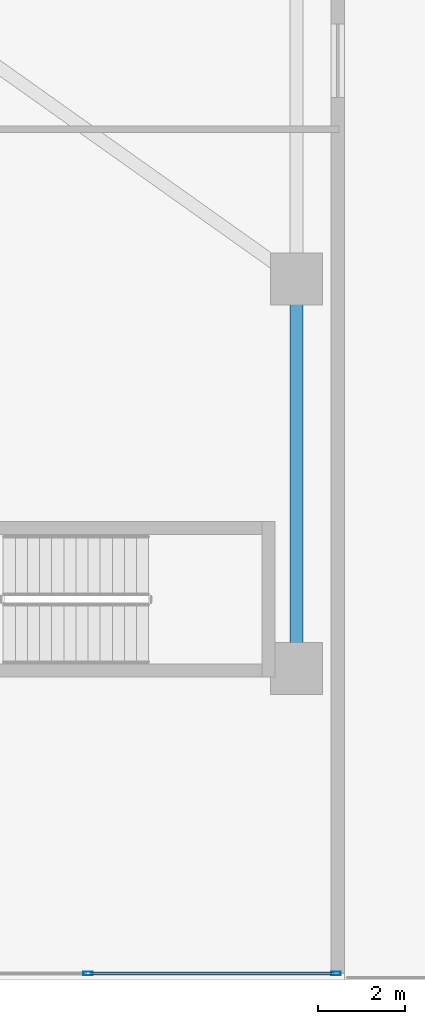
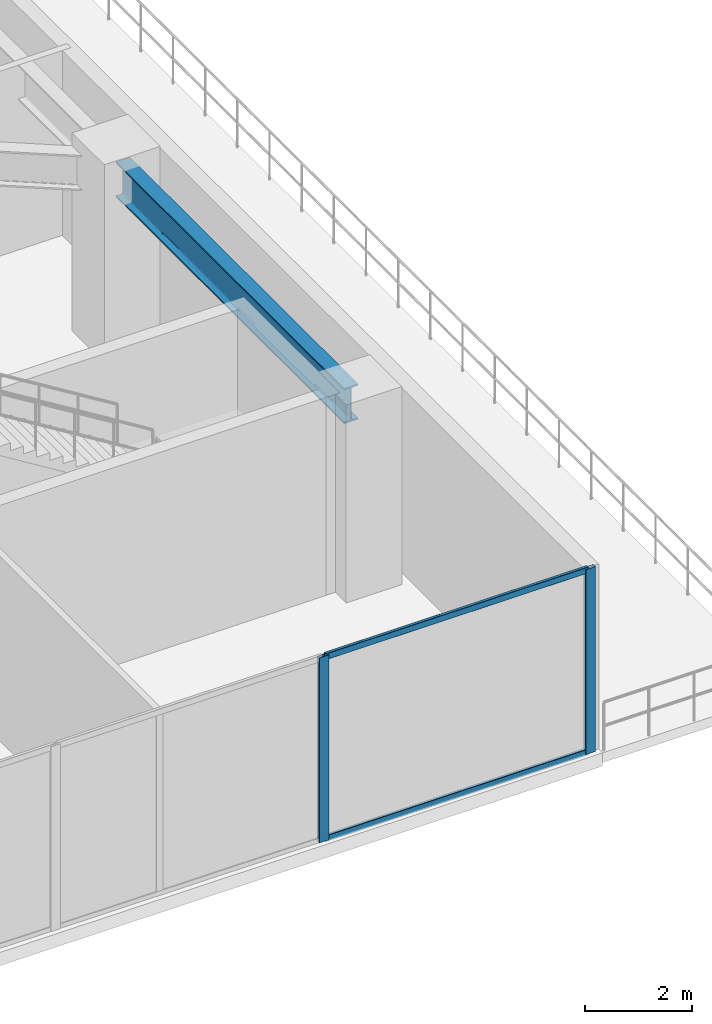
# One storey, part 8 of 27: 4 members, 1 beam, 1 element without a shape of its own.
"""IFC4 building model written with IfcOpenShell, lengths in metres."""

from ifc_helpers import new_model, si_unit, direction, frame, origin, origin_2d, place, context, subcontext, project, spatial, hollow_rectangle, i_section, extrude, material, layer, layer_set, material_profile, profile_set, type_object, element, aggregate, save


model = new_model("IFC4")

# Units and contexts
model_context = context("Model", 3, precision=1e-05, world=origin(), true_north=direction((0.0, 1.0)))
body_context = subcontext(model_context, "Body", "Model", "MODEL_VIEW")
ifc_project = project(units=[si_unit("LENGTHUNIT", "METRE"), si_unit("AREAUNIT", "SQUARE_METRE"), si_unit("VOLUMEUNIT", "CUBIC_METRE"), si_unit("PLANEANGLEUNIT", "RADIAN"), si_unit("MASSUNIT", "GRAM", prefix="KILO")], contexts=[model_context])

# Site, building, storey
site_placement = place(None, origin())
site = spatial("IfcSite", under=ifc_project, at=site_placement, CompositionType="ELEMENT")
building_placement = place(site_placement, origin())
building = spatial("IfcBuilding", under=site, at=building_placement, Name="Tarnavaz Court Tower", CompositionType="ELEMENT")
storey_placement = place(building_placement, frame((0.0, 0.0, 9.89990234375)))
storey = spatial("IfcBuildingStorey", under=building, at=storey_placement, Name="L02", CompositionType="ELEMENT", Elevation=9.89990234375)

# Beam
ifc_material_1 = material(Name="Steel S355", Category="steel")
ifc_material_profile_1 = material_profile(ifc_material_1, i_section(OverallWidth=0.300048828125, OverallDepth=0.800048828125, WebThickness=0.017578125, FlangeThickness=0.032958984375, FilletRadius=0.030029296875, at=origin_2d()), Name="HEB 800")
ifc_profile_set_1 = profile_set([ifc_material_profile_1], Name="Steel S355")
beam_type = type_object("IfcBeamType", Name="BM-G-HEB800", PredefinedType="USERDEFINED", material=ifc_profile_set_1)
beam_placement = place(storey_placement, frame((27.89990234375, -22.550048828125, 3.800048828125), z_axis=(0.0, 1.0, 0.0), x_axis=(-1.0, 0.0, 0.0)))
element("IfcBeam", 1, at=beam_placement, inside=storey, type_object=beam_type, Name="L02 Beam PM-PM-SE-PM-E1", ObjectType="GIRDER", PredefinedType="USERDEFINED", context=body_context, shape_type="SweptSolid", body=[
    extrude(i_section(OverallWidth=0.300048828125, OverallDepth=0.800048828125, WebThickness=0.017578125, FlangeThickness=0.032958984375, FilletRadius=0.030029296875, at=origin_2d()), origin(), (0.0, 0.0, 1.0), 8.5),
])

# Curtain wall, members
ifc_material_2 = material(Name="Anodised Aluminium 6063-T6 and Solar Low-E Glazing", Category="aluminium")
ifc_layer = layer(ifc_material_2, 0.18994140625)
ifc_layer_set = layer_set([ifc_layer], Name="Anodised Aluminium 6063-T6 and Solar Low-E Glazing")
curtain_wall_type = type_object("IfcCurtainWallType", Name="CW-SYS-01", PredefinedType="NOTDEFINED", material=ifc_layer_set)
curtain_wall_placement = place(storey_placement, origin())
curtain_wall = element("IfcCurtainWall", 2, at=curtain_wall_placement, inside=storey, type_object=curtain_wall_type, Name="L02 Clinic South Curtain Wall 3", PredefinedType="NOTDEFINED")
ifc_material_3 = material(Name="Anodised Aluminium 6063-T6", Category="aluminium")
ifc_material_profile_2 = material_profile(ifc_material_3, hollow_rectangle(XDim=0.0849609375, YDim=0.219970703125, WallThickness=0.006103515625, InnerFilletRadius=0.006103515625, OuterFilletRadius=0.011962890625, at=origin_2d()), Name="ALU RHS 220X85X6")
ifc_profile_set_2 = profile_set([ifc_material_profile_2], Name="Anodised Aluminium 6063-T6")
member_type_1 = type_object("IfcMemberType", Name="CW-MUL-220", PredefinedType="MULLION", material=ifc_profile_set_2)
member_1_placement = place(storey_placement, frame((28.8076171875, -29.85009765625, 0.0), z_axis=(0.0, 0.0, 1.0), x_axis=(0.0, -1.0, 0.0)))
member_1 = element("IfcMember", 3, at=member_1_placement, type_object=member_type_1, Name="CW mullion 1", PredefinedType="MULLION", context=body_context, shape_type="SweptSolid", body=[
    extrude(hollow_rectangle(XDim=0.0849609375, YDim=0.219970703125, WallThickness=0.006103515625, InnerFilletRadius=0.006103515625, OuterFilletRadius=0.011962890625, at=origin_2d()), origin(), (0.0, 0.0, 1.0), 4.2001953125),
])
member_2_placement = place(storey_placement, frame((23.080078125, -29.85009765625, 0.0), z_axis=(0.0, 0.0, 1.0), x_axis=(0.0, -1.0, 0.0)))
member_2 = element("IfcMember", 4, at=member_2_placement, type_object=member_type_1, Name="CW mullion 2", PredefinedType="MULLION", context=body_context, shape_type="SweptSolid", body=[
    extrude(hollow_rectangle(XDim=0.0849609375, YDim=0.219970703125, WallThickness=0.006103515625, InnerFilletRadius=0.006103515625, OuterFilletRadius=0.011962890625, at=origin_2d()), origin(), (0.0, 0.0, 1.0), 4.2001953125),
])
ifc_material_profile_3 = material_profile(ifc_material_3, hollow_rectangle(XDim=0.06494140625, YDim=0.139892578125, WallThickness=0.00390625, InnerFilletRadius=0.00390625, OuterFilletRadius=0.008056640625, at=origin_2d()), Name="ALU RHS 140X65X4")
ifc_profile_set_3 = profile_set([ifc_material_profile_3], Name="Anodised Aluminium 6063-T6")
member_type_2 = type_object("IfcMemberType", Name="CW-TRN-140", PredefinedType="USERDEFINED", material=ifc_profile_set_3)
member_3_placement = place(storey_placement, frame((28.764892578125, -29.85009765625, 0.03271484375), z_axis=(-1.0, 0.0, 0.0), x_axis=(0.0, -1.0, 0.0)))
member_3 = element("IfcMember", 5, at=member_3_placement, type_object=member_type_2, Name="CW transom 1.1", ObjectType="TRANSOM", PredefinedType="USERDEFINED", context=body_context, shape_type="SweptSolid", body=[
    extrude(hollow_rectangle(XDim=0.06494140625, YDim=0.139892578125, WallThickness=0.00390625, InnerFilletRadius=0.00390625, OuterFilletRadius=0.008056640625, at=origin_2d()), origin(), (0.0, 0.0, 1.0), 5.642333984375),
])
member_4_placement = place(storey_placement, frame((28.764892578125, -29.85009765625, 4.16748046875), z_axis=(-1.0, 0.0, 0.0), x_axis=(0.0, -1.0, 0.0)))
member_4 = element("IfcMember", 6, at=member_4_placement, type_object=member_type_2, Name="CW transom 1.2", ObjectType="TRANSOM", PredefinedType="USERDEFINED", context=body_context, shape_type="SweptSolid", body=[
    extrude(hollow_rectangle(XDim=0.06494140625, YDim=0.139892578125, WallThickness=0.00390625, InnerFilletRadius=0.00390625, OuterFilletRadius=0.008056640625, at=origin_2d()), origin(), (0.0, 0.0, 1.0), 5.642333984375),
])
aggregate(curtain_wall, [member_1, member_2, member_3, member_4])

save(model, "model.ifc")
